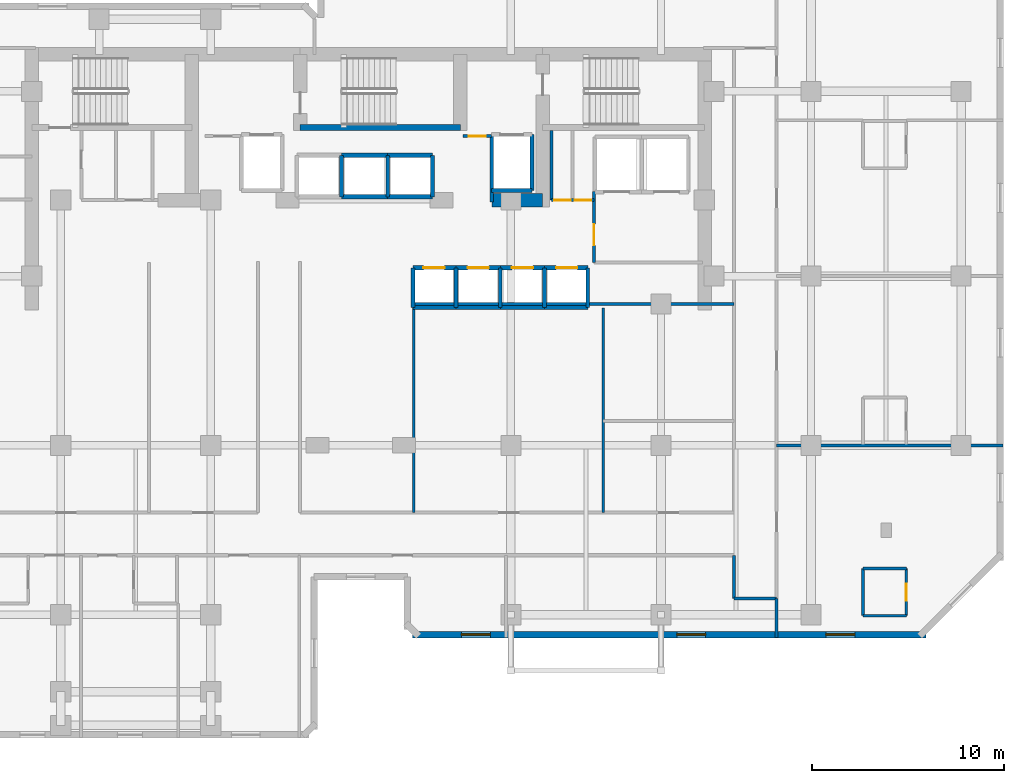
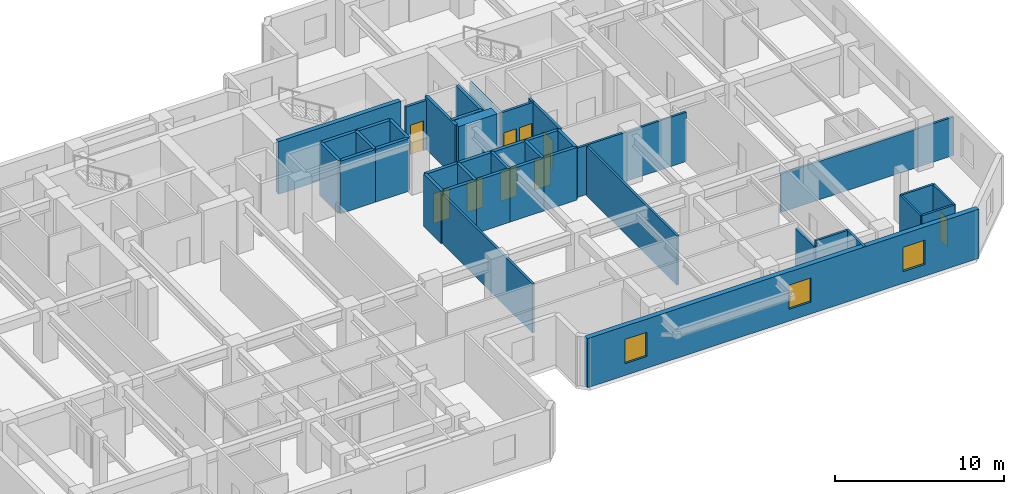
# One storey, part 7 of 10: 41 walls, 9 doors, 3 windows, 12 openings.
"""IFC4 building model written with IfcOpenShell, lengths in metres."""

import ifcopenshell
import ifcopenshell.guid

model = None  # the IFC model being written
_history = None  # IfcOwnerHistory: only IFC2X3 demands one
_inside = {}  # id of a spatial element -> (the spatial element, [elements in it])
_under = {}  # id of a project, library or spatial element -> (it, [spatial elements below it])
_declared = {}  # id of a project -> (the project, [libraries it declares])
_typed = {}  # id of a type object -> (the type object, [elements of that type])
_made_of = {}  # id of a material, layer set ... -> (it, [elements and type objects made of it])


def new_model(schema):
    """Start an empty IFC model of exactly this schema.

    Asked for "IFC4X3", IfcOpenShell would pick the latest addendum, in which some entities
    have other attributes; the version numbers below select the first issue.
    IFC2X3 requires an IfcOwnerHistory on every rooted entity: one is made here for all.
    """
    global model, _history
    if schema == "IFC4X3":
        model = ifcopenshell.file(schema_version=(4, 3, 0, 0))
    else:
        model = ifcopenshell.file(schema=schema)
    _inside.clear()
    _under.clear()
    _declared.clear()
    _typed.clear()
    _made_of.clear()
    _history = None
    if model.schema == "IFC2X3":
        org = make("IfcOrganization", Name="unknown")
        user = make(
            "IfcPersonAndOrganization",
            ThePerson=make("IfcPerson", FamilyName="unknown"),
            TheOrganization=org,
        )
        app = make(
            "IfcApplication",
            ApplicationDeveloper=org,
            Version="unknown",
            ApplicationFullName="unknown",
            ApplicationIdentifier="unknown",
        )
        _history = make(
            "IfcOwnerHistory",
            OwningUser=user,
            OwningApplication=app,
            ChangeAction="ADDED",
            CreationDate=0,
        )
    return model


def make(cls, **values):
    """One entity of the class cls with the attributes given. An attribute that is None is left unset."""
    return model.create_entity(
        cls, **{name: value for name, value in values.items() if value is not None}
    )


def rooted(cls, **values):
    """An entity with a GlobalId (a new one), such as an element, a storey or a relation."""
    return make(cls, GlobalId=ifcopenshell.guid.new(), OwnerHistory=_history, **values)


def si_unit(unit_type, name, prefix=None):
    """IfcSIUnit, for example si_unit("LENGTHUNIT", "METRE", prefix="MILLI")."""
    return make("IfcSIUnit", UnitType=unit_type, Prefix=prefix, Name=name)


def assignment(units):
    """IfcUnitAssignment: the units of a project."""
    return None if units is None else make("IfcUnitAssignment", Units=units)


def point(xyz):
    """IfcCartesianPoint."""
    return None if xyz is None else make("IfcCartesianPoint", Coordinates=xyz)


def direction(xyz):
    """IfcDirection."""
    return None if xyz is None else make("IfcDirection", DirectionRatios=xyz)


def frame(location, z_axis=None, x_axis=None):
    """IfcAxis2Placement3D, a coordinate frame: its origin and axes. An axis left out is left unset."""
    return make(
        "IfcAxis2Placement3D",
        Location=point(location),
        Axis=direction(z_axis),
        RefDirection=direction(x_axis),
    )


def frame_2d(location, x_axis=None):
    """IfcAxis2Placement2D, a coordinate frame in the plane: its origin and x axis."""
    return make(
        "IfcAxis2Placement2D", Location=point(location), RefDirection=direction(x_axis)
    )


def origin():
    """The frame at (0, 0, 0) with its axes left unset."""
    return frame((0.0, 0.0, 0.0))


def place(relative_to, where):
    """IfcLocalPlacement: puts the frame where relative to a parent placement (None: the world)."""
    return make(
        "IfcLocalPlacement", PlacementRelTo=relative_to, RelativePlacement=where
    )


def context(
    kind, dimensions, precision=None, world=None, true_north=None, identifier=None
):
    """IfcGeometricRepresentationContext, for example the 3D "Model" context."""
    return make(
        "IfcGeometricRepresentationContext",
        ContextIdentifier=identifier,
        ContextType=kind,
        CoordinateSpaceDimension=dimensions,
        Precision=precision,
        WorldCoordinateSystem=world,
        TrueNorth=true_north,
    )


def subcontext(parent, identifier, kind, view, scale=None):
    """IfcGeometricRepresentationSubContext, for example "Body" below "Model"."""
    return make(
        "IfcGeometricRepresentationSubContext",
        ContextIdentifier=identifier,
        ContextType=kind,
        ParentContext=parent,
        TargetScale=scale,
        TargetView=view,
    )


def project(units=None, contexts=None):
    """IfcProject with its units and contexts."""
    return rooted(
        "IfcProject",
        Name="project",
        RepresentationContexts=contexts,
        UnitsInContext=assignment(units),
    )


def spatial(cls, under=None, at=None, **own):
    """A site, building, storey or space (cls), placed at a placement, below another one or the project."""
    s = rooted(cls, ObjectPlacement=at, **own)
    if under is not None:
        _under.setdefault(under.id(), (under, []))[1].append(s)
    return s


def profile(cls, at=None, kind="AREA", **sizes):
    """A parametric profile (cls). Its sizes go by their IFC names, for example OverallWidth=200.0."""
    return make(cls, ProfileType=kind, Position=at, **sizes)


def rectangle(**sizes):
    """IfcRectangleProfileDef."""
    return profile("IfcRectangleProfileDef", **sizes)


def extrude(swept, where, along, depth):
    """IfcExtrudedAreaSolid: the profile swept, set in the frame where, extruded along a direction by depth."""
    return make(
        "IfcExtrudedAreaSolid",
        SweptArea=swept,
        Position=where,
        ExtrudedDirection=direction(along),
        Depth=depth,
    )


def shape(context_of_items, identifier, shape_type, items):
    """IfcShapeRepresentation: the items that make up one representation, for example the "Body"."""
    return make(
        "IfcShapeRepresentation",
        ContextOfItems=context_of_items,
        RepresentationIdentifier=identifier,
        RepresentationType=shape_type,
        Items=items,
    )


def material(Name=None, Category=None):
    """IfcMaterial."""
    return make("IfcMaterial", Name=Name, Category=Category)


def layer(
    of_material, thickness, ventilated=None, Name=None, Category=None, Priority=None
):
    """IfcMaterialLayer: one layer of a wall or slab, of a material (None: an air gap)."""
    return make(
        "IfcMaterialLayer",
        Material=of_material,
        LayerThickness=thickness,
        IsVentilated=ventilated,
        Name=Name,
        Category=Category,
        Priority=Priority,
    )


def layer_set(layers, Name=None):
    """IfcMaterialLayerSet."""
    return make("IfcMaterialLayerSet", MaterialLayers=layers, LayerSetName=Name)


def made_of(thing, what):
    """Note that an element or type object is made of a material, layer set ...; save() writes the relation."""
    if what is not None:
        _made_of.setdefault(what.id(), (what, []))[1].append(thing)
    return thing


def type_object(cls, material=None, **own):
    """A type object (cls), such as IfcWallType, which elements share."""
    return made_of(rooted(cls, **own), material)


def element(
    cls,
    number,
    at=None,
    inside=None,
    cuts=None,
    type_object=None,
    material=None,
    context=None,
    identifier="Body",
    shape_type=None,
    held_by="IfcProductDefinitionShape",
    body=None,
    shapes=None,
    **own,
):
    """One element of the class cls, such as IfcWall. Its Tag is "e" and its number.

    at: its placement. inside: the storey or other place that contains it. cuts: it is an
    opening in that element (IfcRelVoidsElement). A single representation is given by context,
    identifier, shape_type and body (its items); several are given by shapes. held_by: the class
    of the entity that holds the representations. save() writes the other relations.
    """
    e = rooted(cls, Tag="e%d" % number, ObjectPlacement=at, **own)
    if body is not None:
        shapes = [shape(context, identifier, shape_type, body)]
    if shapes is not None:
        e.Representation = make(held_by, Representations=shapes)
    if inside is not None:
        _inside.setdefault(inside.id(), (inside, []))[1].append(e)
    if cuts is not None:
        rooted(
            "IfcRelVoidsElement", RelatingBuildingElement=cuts, RelatedOpeningElement=e
        )
    if type_object is not None:
        _typed.setdefault(type_object.id(), (type_object, []))[1].append(e)
    return made_of(e, material)


def fill(opening, filler):
    """IfcRelFillsElement: the door or window that sits in an opening."""
    return rooted(
        "IfcRelFillsElement",
        RelatingOpeningElement=opening,
        RelatedBuildingElement=filler,
    )


def aggregate(whole, parts):
    """IfcRelAggregates: a whole, such as a stair, and the parts it consists of."""
    return rooted("IfcRelAggregates", RelatingObject=whole, RelatedObjects=parts)


def save(model, path):
    """Write the relations noted so far, then the file.

    IfcRelAggregates (storeys below a building ...), IfcRelContainedInSpatialStructure (elements
    in a storey), IfcRelDefinesByType, IfcRelAssociatesMaterial and IfcRelDeclares: one each for
    every whole, place, type object, material and project.
    """
    for whole, parts in _under.values():
        aggregate(whole, parts)
    for where, things in _inside.values():
        rooted(
            "IfcRelContainedInSpatialStructure",
            RelatedElements=things,
            RelatingStructure=where,
        )
    for kind, things in _typed.values():
        rooted("IfcRelDefinesByType", RelatedObjects=things, RelatingType=kind)
    for what, things in _made_of.values():
        rooted("IfcRelAssociatesMaterial", RelatedObjects=things, RelatingMaterial=what)
    for by, libraries in _declared.values():
        rooted("IfcRelDeclares", RelatingContext=by, RelatedDefinitions=libraries)
    model.write(path)


model = new_model("IFC4")

# Units and contexts
model_context = context("Model", 3, precision=1e-05, world=origin(), true_north=direction((0.0, 1.0)))
body_context = subcontext(model_context, "Body", "Model", "MODEL_VIEW")
ifc_project = project(units=[si_unit("LENGTHUNIT", "METRE"), si_unit("AREAUNIT", "SQUARE_METRE"), si_unit("VOLUMEUNIT", "CUBIC_METRE"), si_unit("PLANEANGLEUNIT", "RADIAN"), si_unit("MASSUNIT", "GRAM", prefix="KILO")], contexts=[model_context])

# Site, building, storey
site_placement = place(None, origin())
site = spatial("IfcSite", under=ifc_project, at=site_placement, CompositionType="ELEMENT")
building_placement = place(site_placement, origin())
building = spatial("IfcBuilding", under=site, at=building_placement, Name="Kestravale Grand Hotel", CompositionType="ELEMENT")
storey_placement = place(building_placement, frame((0.0, 0.0, 153.60009765625)))
storey = spatial("IfcBuildingStorey", under=building, at=storey_placement, Name="L38", CompositionType="ELEMENT", Elevation=153.60009765625)

# Wall
ifc_material_1 = material(Name="Concrete f'c 60 MPa", Category="concrete")
ifc_layer_1 = layer(ifc_material_1, 0.699951171875)
ifc_layer_set_1 = layer_set([ifc_layer_1], Name="EW-CORE-700")
wall_type_1 = type_object("IfcWallType", Name="EW-CORE-700", PredefinedType="SHEAR", material=ifc_layer_set_1)
wall_1_placement = place(storey_placement, frame((45.81005859375, 32.75, 0.0), z_axis=(0.0, 0.0, 1.0), x_axis=(1.0, 0.0, 0.0)))
element("IfcWall", 1, at=wall_1_placement, inside=storey, type_object=wall_type_1, Name="L38 core shear wall S2", PredefinedType="SHEAR", context=body_context, shape_type="SweptSolid", body=[
    extrude(rectangle(XDim=2.639892578125, YDim=0.699951171875, at=frame_2d((1.31982421875, 0.0))), origin(), (0.0, 0.0, 1.0), 3.7998046875),
])

# Wall, openings, windows
ifc_material_2 = material(Name="Precast concrete f'c 45 MPa", Category="concrete")
ifc_layer_2 = layer(ifc_material_2, 0.340087890625)
ifc_layer_set_2 = layer_set([ifc_layer_2], Name="EW-PREC-340")
wall_type_2 = type_object("IfcWallType", Name="EW-PREC-340", PredefinedType="SOLIDWALL", material=ifc_layer_set_2)
wall_2_placement = place(storey_placement, frame((41.679931640625, 10.169921875, 0.0), z_axis=(0.0, 0.0, 1.0), x_axis=(1.0, 0.0, 0.0)))
wall_2 = element("IfcWall", 2, at=wall_2_placement, inside=storey, type_object=wall_type_2, Name="L38 fluted precast facade wall 7", PredefinedType="SOLIDWALL", context=body_context, shape_type="SweptSolid", body=[
    extrude(rectangle(XDim=26.690185546875, YDim=0.340087890625, at=frame_2d((13.34521484375, 0.0))), origin(), (0.0, 0.0, 1.0), 3.5498046875),
])
opening_1_placement = place(wall_2_placement, frame((2.54833984375, 0.0, 0.85009765625)))
opening_1 = element("IfcOpeningElement", 3, at=opening_1_placement, cuts=wall_2, Name="Opening W-GUEST-1500", PredefinedType="OPENING", context=body_context, shape_type="SweptSolid", body=[
    extrude(rectangle(XDim=1.5, YDim=1.75, at=frame_2d((0.75, 0.875))), frame((0.0, 0.179931640625, 0.0), z_axis=(0.0, -1.0, 0.0), x_axis=(1.0, 0.0, 0.0)), (0.0, 0.0, 1.0), 0.360107421875),
])
opening_2_placement = place(wall_2_placement, frame((13.7451171875, 0.0, 0.85009765625)))
opening_2 = element("IfcOpeningElement", 4, at=opening_2_placement, cuts=wall_2, Name="Opening W-GUEST-1500", PredefinedType="OPENING", context=body_context, shape_type="SweptSolid", body=[
    extrude(rectangle(XDim=1.5, YDim=1.75, at=frame_2d((0.75, 0.875))), frame((0.0, 0.179931640625, 0.0), z_axis=(0.0, -1.0, 0.0), x_axis=(1.0, 0.0, 0.0)), (0.0, 0.0, 1.0), 0.360107421875),
])
opening_3_placement = place(wall_2_placement, frame((21.49169921875, 0.0, 0.85009765625)))
opening_3 = element("IfcOpeningElement", 5, at=opening_3_placement, cuts=wall_2, Name="Opening W-GUEST-1500", PredefinedType="OPENING", context=body_context, shape_type="SweptSolid", body=[
    extrude(rectangle(XDim=1.5, YDim=1.75, at=frame_2d((0.75, 0.875))), frame((0.0, 0.179931640625, 0.0), z_axis=(0.0, -1.0, 0.0), x_axis=(1.0, 0.0, 0.0)), (0.0, 0.0, 1.0), 0.360107421875),
])
ifc_material_3 = material(Name="Insulated low-E double glazing in aluminium frame", Category="aluminium")
window_type = type_object("IfcWindowType", Name="W-GUEST-1500", PartitioningType="SINGLE_PANEL", PredefinedType="WINDOW", material=ifc_material_3)
window_1_placement = place(opening_1_placement, origin())
window_1 = element("IfcWindow", 6, at=window_1_placement, inside=storey, type_object=window_type, Name="L38 exterior window 7.1", OverallHeight=1.75, OverallWidth=1.5, PartitioningType="SINGLE_PANEL", PredefinedType="WINDOW", context=body_context, shape_type="SweptSolid", body=[
    extrude(rectangle(XDim=1.5, YDim=1.75, at=frame_2d((0.75, 0.875))), frame((0.0, 0.030029296875, 0.0), z_axis=(0.0, -1.0, 0.0), x_axis=(1.0, 0.0, 0.0)), (0.0, 0.0, 1.0), 0.06005859375),
])
fill(opening_1, window_1)
window_2_placement = place(opening_2_placement, origin())
window_2 = element("IfcWindow", 7, at=window_2_placement, inside=storey, type_object=window_type, Name="L38 exterior window 7.2", OverallHeight=1.75, OverallWidth=1.5, PartitioningType="SINGLE_PANEL", PredefinedType="WINDOW", context=body_context, shape_type="SweptSolid", body=[
    extrude(rectangle(XDim=1.5, YDim=1.75, at=frame_2d((0.75, 0.875))), frame((0.0, 0.030029296875, 0.0), z_axis=(0.0, -1.0, 0.0), x_axis=(1.0, 0.0, 0.0)), (0.0, 0.0, 1.0), 0.06005859375),
])
fill(opening_2, window_2)
window_3_placement = place(opening_3_placement, origin())
window_3 = element("IfcWindow", 8, at=window_3_placement, inside=storey, type_object=window_type, Name="L38 exterior window 7.3", OverallHeight=1.75, OverallWidth=1.5, PartitioningType="SINGLE_PANEL", PredefinedType="WINDOW", context=body_context, shape_type="SweptSolid", body=[
    extrude(rectangle(XDim=1.5, YDim=1.75, at=frame_2d((0.75, 0.875))), frame((0.0, 0.030029296875, 0.0), z_axis=(0.0, -1.0, 0.0), x_axis=(1.0, 0.0, 0.0)), (0.0, 0.0, 1.0), 0.06005859375),
])
fill(opening_3, window_3)

# Wall
ifc_material_4 = material(Name="Concrete f'c 45 MPa", Category="concrete")
ifc_layer_3 = layer(ifc_material_4, 0.300048828125)
ifc_layer_set_3 = layer_set([ifc_layer_3], Name="EW-STAIR-300")
wall_type_3 = type_object("IfcWallType", Name="EW-STAIR-300", PredefinedType="SHEAR", material=ifc_layer_set_3)
wall_3_placement = place(storey_placement, frame((35.85009765625, 36.52001953125, 0.0), z_axis=(0.0, 0.0, 1.0), x_axis=(1.0, 0.0, 0.0)))
element("IfcWall", 9, at=wall_3_placement, inside=storey, type_object=wall_type_3, Name="L38 stair enclosure shear wall SST2", PredefinedType="SHEAR", context=body_context, shape_type="SweptSolid", body=[
    extrude(rectangle(XDim=8.329833984375, YDim=0.300048828125, at=frame_2d((4.1650390625, 0.0))), origin(), (0.0, 0.0, 1.0), 3.7998046875),
])

# Wall, opening, door
ifc_material_5 = material(Name="Acoustic fire-rated gypsum board partition", Category="other")
ifc_layer_4 = layer(ifc_material_5, 0.159912109375)
ifc_layer_set_4 = layer_set([ifc_layer_4], Name="IW-CORR-160")
wall_type_4 = type_object("IfcWallType", Name="IW-CORR-160", PredefinedType="PARTITIONING", material=ifc_layer_set_4)
wall_4_placement = place(storey_placement, frame((51.1201171875, 29.5, 0.0), z_axis=(0.0, 0.0, 1.0), x_axis=(0.0, 1.0, 0.0)))
wall_4 = element("IfcWall", 10, at=wall_4_placement, inside=storey, type_object=wall_type_4, Name="W-L38-SVCLOB-W", PredefinedType="PARTITIONING", context=body_context, shape_type="SweptSolid", body=[
    extrude(rectangle(XDim=3.699951171875, YDim=0.159912109375, at=frame_2d((1.85009765625, 0.0))), origin(), (0.0, 0.0, 1.0), 3.5498046875),
])
opening_4_placement = place(wall_4_placement, frame((0.89990234375, 0.0, 0.0)))
opening_4 = element("IfcOpeningElement", 11, at=opening_4_placement, cuts=wall_4, Name="Opening D-CORR-1100", PredefinedType="OPENING", context=body_context, shape_type="SweptSolid", body=[
    extrude(rectangle(XDim=1.10009765625, YDim=2.14990234375, at=frame_2d((0.550048828125, 1.074951171875))), frame((0.0, 0.08984375, 0.0), z_axis=(0.0, -1.0, 0.0), x_axis=(1.0, 0.0, 0.0)), (0.0, 0.0, 1.0), 0.179931640625),
])
ifc_material_6 = material(Name="Single-leaf service vestibule fire door", Category="steel")
door_type_1 = type_object("IfcDoorType", Name="D-CORR-1100", OperationType="NOTDEFINED", PredefinedType="DOOR", material=ifc_material_6)
door_1_placement = place(opening_4_placement, origin())
door_1 = element("IfcDoor", 12, at=door_1_placement, inside=storey, type_object=door_type_1, Name="L38 service lift lobby door", OperationType="SINGLE_SWING_LEFT", OverallHeight=2.14990234375, OverallWidth=1.10009765625, PredefinedType="DOOR", context=body_context, shape_type="SweptSolid", body=[
    extrude(rectangle(XDim=1.10009765625, YDim=2.14990234375, at=frame_2d((0.550048828125, 1.074951171875))), frame((0.0, 0.02490234375, 0.0), z_axis=(0.0, -1.0, 0.0), x_axis=(1.0, 0.0, 0.0)), (0.0, 0.0, 1.0), 0.050048828125),
])
fill(opening_4, door_1)

# Wall, openings, doors
wall_5_placement = place(storey_placement, frame((48.919921875, 32.75, 0.0), z_axis=(0.0, 0.0, 1.0), x_axis=(1.0, 0.0, 0.0)))
wall_5 = element("IfcWall", 13, at=wall_5_placement, inside=storey, type_object=wall_type_4, Name="W-L38-CES", PredefinedType="PARTITIONING", context=body_context, shape_type="SweptSolid", body=[
    extrude(rectangle(XDim=2.2001953125, YDim=0.159912109375, at=frame_2d((1.10009765625, 0.0))), origin(), (0.0, 0.0, 1.0), 3.5498046875),
])
opening_5_placement = place(wall_5_placement, frame((0.139892578125, 0.0, 0.0)))
opening_5 = element("IfcOpeningElement", 14, at=opening_5_placement, cuts=wall_5, Name="Opening D-SH-860", PredefinedType="OPENING", context=body_context, shape_type="SweptSolid", body=[
    extrude(rectangle(XDim=0.860107421875, YDim=2.050048828125, at=frame_2d((0.43017578125, 1.02490234375))), frame((0.0, 0.08984375, 0.0), z_axis=(0.0, -1.0, 0.0), x_axis=(1.0, 0.0, 0.0)), (0.0, 0.0, 1.0), 0.179931640625),
])
opening_6_placement = place(wall_5_placement, frame((1.199951171875, 0.0, 0.0)))
opening_6 = element("IfcOpeningElement", 15, at=opening_6_placement, cuts=wall_5, Name="Opening D-SH-860", PredefinedType="OPENING", context=body_context, shape_type="SweptSolid", body=[
    extrude(rectangle(XDim=0.860107421875, YDim=2.050048828125, at=frame_2d((0.43017578125, 1.02490234375))), frame((0.0, 0.08984375, 0.0), z_axis=(0.0, -1.0, 0.0), x_axis=(1.0, 0.0, 0.0)), (0.0, 0.0, 1.0), 0.179931640625),
])
ifc_material_7 = material(Name="Galvanised 90-minute riser fire door", Category="steel")
door_type_2 = type_object("IfcDoorType", Name="D-SH-860", OperationType="NOTDEFINED", PredefinedType="DOOR", material=ifc_material_7)
door_2_placement = place(opening_5_placement, origin())
door_2 = element("IfcDoor", 16, at=door_2_placement, inside=storey, type_object=door_type_2, Name="L38 CSTO1 door", OperationType="SINGLE_SWING_LEFT", OverallHeight=2.050048828125, OverallWidth=0.860107421875, PredefinedType="DOOR", context=body_context, shape_type="SweptSolid", body=[
    extrude(rectangle(XDim=0.860107421875, YDim=2.050048828125, at=frame_2d((0.43017578125, 1.02490234375))), frame((0.0, 0.02490234375, 0.0), z_axis=(0.0, -1.0, 0.0), x_axis=(1.0, 0.0, 0.0)), (0.0, 0.0, 1.0), 0.050048828125),
])
fill(opening_5, door_2)
door_3_placement = place(opening_6_placement, origin())
door_3 = element("IfcDoor", 17, at=door_3_placement, inside=storey, type_object=door_type_2, Name="L38 CSTO2 door", OperationType="SINGLE_SWING_RIGHT", OverallHeight=2.050048828125, OverallWidth=0.860107421875, PredefinedType="DOOR", context=body_context, shape_type="SweptSolid", body=[
    extrude(rectangle(XDim=0.860107421875, YDim=2.050048828125, at=frame_2d((0.43017578125, 1.02490234375))), frame((0.0, 0.02490234375, 0.0), z_axis=(0.0, -1.0, 0.0), x_axis=(1.0, 0.0, 0.0)), (0.0, 0.0, 1.0), 0.050048828125),
])
fill(opening_6, door_3)

# Wall
wall_6_placement = place(storey_placement, frame((58.389892578125, 12.050048828125, 0.0), z_axis=(0.0, 0.0, 1.0), x_axis=(0.0, 1.0, 0.0)))
element("IfcWall", 18, at=wall_6_placement, inside=storey, type_object=wall_type_4, Name="W-L38-SE-W", PredefinedType="PARTITIONING", context=body_context, shape_type="SweptSolid", body=[
    extrude(rectangle(XDim=2.239990234375, YDim=0.159912109375, at=frame_2d((1.1201171875, 0.0))), origin(), (0.0, 0.0, 1.0), 3.093017578125),
])

# Wall, opening, door
ifc_material_8 = material(Name="Fire-rated gypsum board on steel studs with mineral wool", Category="steel")
ifc_layer_5 = layer(ifc_material_8, 0.179931640625)
ifc_layer_set_5 = layer_set([ifc_layer_5], Name="IW-FSAE-180")
wall_type_5 = type_object("IfcWallType", Name="IW-FSAE-180", PredefinedType="PARTITIONING", material=ifc_layer_set_5)
wall_7_placement = place(storey_placement, frame((44.300048828125, 36.080078125, 0.0), z_axis=(0.0, 0.0, 1.0), x_axis=(1.0, 0.0, 0.0)))
wall_7 = element("IfcWall", 19, at=wall_7_placement, inside=storey, type_object=wall_type_5, Name="L38 FSAE Lobby 2 smoke barrier", PredefinedType="PARTITIONING", context=body_context, shape_type="SweptSolid", body=[
    extrude(rectangle(XDim=1.5, YDim=0.179931640625, at=frame_2d((0.75, 0.0))), origin(), (0.0, 0.0, 1.0), 3.5498046875),
])
opening_7_placement = place(wall_7_placement, frame((0.300048828125, 0.0, 0.0)))
opening_7 = element("IfcOpeningElement", 20, at=opening_7_placement, cuts=wall_7, Name="Opening D-FSAE-1000", PredefinedType="OPENING", context=body_context, shape_type="SweptSolid", body=[
    extrude(rectangle(XDim=0.89990234375, YDim=2.14990234375, at=frame_2d((0.449951171875, 1.074951171875))), frame((0.0, 0.099853515625, 0.0), z_axis=(0.0, -1.0, 0.0), x_axis=(1.0, 0.0, 0.0)), (0.0, 0.0, 1.0), 0.199951171875),
])
ifc_material_9 = material(Name="Smoke-gasketed FSAE lobby fire door", Category="steel")
door_type_3 = type_object("IfcDoorType", Name="D-FSAE-1000", OperationType="NOTDEFINED", PredefinedType="DOOR", material=ifc_material_9)
door_4_placement = place(opening_7_placement, origin())
door_4 = element("IfcDoor", 21, at=door_4_placement, inside=storey, type_object=door_type_3, Name="L38 FSAE Lobby 2 fire door", OperationType="SINGLE_SWING_LEFT", OverallHeight=2.14990234375, OverallWidth=0.89990234375, PredefinedType="DOOR", context=body_context, shape_type="SweptSolid", body=[
    extrude(rectangle(XDim=0.89990234375, YDim=2.14990234375, at=frame_2d((0.449951171875, 1.074951171875))), frame((0.0, 0.02490234375, 0.0), z_axis=(0.0, -1.0, 0.0), x_axis=(1.0, 0.0, 0.0)), (0.0, 0.0, 1.0), 0.050048828125),
])
fill(opening_7, door_4)

# Wall
ifc_material_10 = material(Name="Moisture-resistant tile-backer plumbing chase wall", Category="other")
ifc_layer_6 = layer(ifc_material_10, 0.139892578125)
ifc_layer_set_6 = layer_set([ifc_layer_6], Name="IW-PLB-140")
wall_type_6 = type_object("IfcWallType", Name="IW-PLB-140", PredefinedType="PLUMBINGWALL", material=ifc_layer_set_6)
wall_8_placement = place(storey_placement, frame((65.10009765625, 11.14990234375, 0.0), z_axis=(0.0, 0.0, 1.0), x_axis=(0.0, 1.0, 0.0)))
element("IfcWall", 22, at=wall_8_placement, inside=storey, type_object=wall_type_6, Name="W-L38-U06-BW", PredefinedType="PLUMBINGWALL", context=body_context, shape_type="SweptSolid", body=[
    extrude(rectangle(XDim=2.4501953125, YDim=0.139892578125, at=frame_2d((1.22509765625, 0.0))), origin(), (0.0, 0.0, 1.0), 3.5498046875),
])

# Wall, opening, door
wall_9_placement = place(storey_placement, frame((67.35009765625, 11.14990234375, 0.0), z_axis=(0.0, 0.0, 1.0), x_axis=(0.0, 1.0, 0.0)))
wall_9 = element("IfcWall", 23, at=wall_9_placement, inside=storey, type_object=wall_type_6, Name="W-L38-U06-BE", PredefinedType="PLUMBINGWALL", context=body_context, shape_type="SweptSolid", body=[
    extrude(rectangle(XDim=2.4501953125, YDim=0.139892578125, at=frame_2d((1.22509765625, 0.0))), origin(), (0.0, 0.0, 1.0), 3.5498046875),
])
opening_8_placement = place(wall_9_placement, frame((0.784912109375, 0.0, 0.0)))
opening_8 = element("IfcOpeningElement", 24, at=opening_8_placement, cuts=wall_9, Name="Opening D-BATH-880", PredefinedType="OPENING", context=body_context, shape_type="SweptSolid", body=[
    extrude(rectangle(XDim=0.8798828125, YDim=2.050048828125, at=frame_2d((0.43994140625, 1.02490234375))), frame((0.0, 0.079833984375, 0.0), z_axis=(0.0, -1.0, 0.0), x_axis=(1.0, 0.0, 0.0)), (0.0, 0.0, 1.0), 0.159912109375),
])
ifc_material_11 = material(Name="Moisture-sealed walnut en-suite bathroom door", Category="wood")
door_type_4 = type_object("IfcDoorType", Name="D-BATH-880", OperationType="NOTDEFINED", PredefinedType="DOOR", material=ifc_material_11)
door_5_placement = place(opening_8_placement, origin())
door_5 = element("IfcDoor", 25, at=door_5_placement, inside=storey, type_object=door_type_4, Name="D-L38-U06-BATH", OperationType="SINGLE_SWING_RIGHT", OverallHeight=2.050048828125, OverallWidth=0.8798828125, PredefinedType="DOOR", context=body_context, shape_type="SweptSolid", body=[
    extrude(rectangle(XDim=0.8798828125, YDim=2.050048828125, at=frame_2d((0.43994140625, 1.02490234375))), frame((0.0, 0.02490234375, 0.0), z_axis=(0.0, -1.0, 0.0), x_axis=(1.0, 0.0, 0.0)), (0.0, 0.0, 1.0), 0.050048828125),
])
fill(opening_8, door_5)

# Walls
for number, where, z_axis, x_axis, name in (
    (26, (65.10009765625, 11.14990234375, 0.0), (0.0, 0.0, 1.0), (1.0, 0.0, 0.0), "W-L38-U06-BS"),
    (27, (65.10009765625, 13.60009765625, 0.0), (0.0, 0.0, 1.0), (1.0, 0.0, 0.0), "W-L38-U06-BN"),
):
    element("IfcWall", number, at=place(storey_placement, frame(where, z_axis=z_axis, x_axis=x_axis)), inside=storey, type_object=wall_type_6, Name=name, PredefinedType="PLUMBINGWALL", context=body_context, shape_type="SweptSolid", body=[
        extrude(rectangle(XDim=2.25, YDim=0.139892578125, at=frame_2d((1.125, 0.0))), origin(), (0.0, 0.0, 1.0), 3.5498046875),
    ])
ifc_material_12 = material(Name="Concrete f'c 45 MPa", Category="concrete")
ifc_layer_7 = layer(ifc_material_12, 0.199951171875)
ifc_layer_set_7 = layer_set([ifc_layer_7], Name="IW-SHAFT-200")
wall_type_7 = type_object("IfcWallType", Name="IW-SHAFT-200", PredefinedType="SHEAR", material=ifc_layer_set_7)
for number, where, z_axis, x_axis, name in (
    (28, (41.705078125, 27.169921875, 0.0), (0.0, 0.0, 1.0), (0.0, 1.0, 0.0), "L38 PL-M1 west shaft wall"),
    (29, (43.949951171875, 27.169921875, 0.0), (0.0, 0.0, 1.0), (0.0, 1.0, 0.0), "L38 PL-M2 west shaft wall"),
    (30, (46.25, 27.169921875, 0.0), (0.0, 0.0, 1.0), (0.0, 1.0, 0.0), "L38 PL-M3 west shaft wall"),
    (31, (48.550048828125, 27.169921875, 0.0), (0.0, 0.0, 1.0), (0.0, 1.0, 0.0), "L38 PL-M4 west shaft wall"),
    (32, (50.794921875, 27.169921875, 0.0), (0.0, 0.0, 1.0), (0.0, 1.0, 0.0), "L38 PL-M4 east shaft wall"),
):
    element("IfcWall", number, at=place(storey_placement, frame(where, z_axis=z_axis, x_axis=x_axis)), inside=storey, type_object=wall_type_7, Name=name, PredefinedType="SHEAR", context=body_context, shape_type="SweptSolid", body=[
        extrude(rectangle(XDim=2.06005859375, YDim=0.199951171875, at=frame_2d((1.030029296875, 0.0))), origin(), (0.0, 0.0, 1.0), 3.7998046875),
    ])
for number, where, z_axis, x_axis, name in (
    (33, (38.0, 32.919921875, 0.0), (0.0, 0.0, 1.0), (0.0, 1.0, 0.0), "L38 PL-X2 west shaft wall"),
    (34, (40.39990234375, 32.919921875, 0.0), (0.0, 0.0, 1.0), (0.0, 1.0, 0.0), "L38 PL-X3 west shaft wall"),
    (35, (42.719970703125, 32.919921875, 0.0), (0.0, 0.0, 1.0), (0.0, 1.0, 0.0), "L38 PL-X3 east shaft wall"),
):
    element("IfcWall", number, at=place(storey_placement, frame(where, z_axis=z_axis, x_axis=x_axis)), inside=storey, type_object=wall_type_7, Name=name, PredefinedType="SHEAR", context=body_context, shape_type="SweptSolid", body=[
        extrude(rectangle(XDim=2.16015625, YDim=0.199951171875, at=frame_2d((1.080078125, 0.0))), origin(), (0.0, 0.0, 1.0), 3.7998046875),
    ])
wall_10_placement = place(storey_placement, frame((45.804931640625, 32.64990234375, 0.0), z_axis=(0.0, 0.0, 1.0), x_axis=(0.0, 1.0, 0.0)))
element("IfcWall", 36, at=wall_10_placement, inside=storey, type_object=wall_type_7, Name="L38 FL-2 west shaft wall", PredefinedType="SHEAR", context=body_context, shape_type="SweptSolid", body=[
    extrude(rectangle(XDim=3.505126953125, YDim=0.199951171875, at=frame_2d((1.75244140625, 0.0))), origin(), (0.0, 0.0, 1.0), 3.7998046875),
])
wall_11_placement = place(storey_placement, frame((47.89501953125, 33.2451171875, 0.0), z_axis=(0.0, 0.0, 1.0), x_axis=(0.0, 1.0, 0.0)))
element("IfcWall", 37, at=wall_11_placement, inside=storey, type_object=wall_type_7, Name="L38 FL-2 east shaft wall", PredefinedType="SHEAR", context=body_context, shape_type="SweptSolid", body=[
    extrude(rectangle(XDim=2.909912109375, YDim=0.199951171875, at=frame_2d((1.455078125, 0.0))), origin(), (0.0, 0.0, 1.0), 3.7998046875),
])

# Wall, opening, door
ifc_material_13 = material(Name="Concrete f'c 45 MPa", Category="concrete")
ifc_layer_8 = layer(ifc_material_13, 0.219970703125)
ifc_layer_set_8 = layer_set([ifc_layer_8], Name="IW-SHAFT-220")
wall_type_8 = type_object("IfcWallType", Name="IW-SHAFT-220", PredefinedType="SHEAR", material=ifc_layer_set_8)
wall_12_placement = place(storey_placement, frame((41.705078125, 29.22998046875, 0.0), z_axis=(0.0, 0.0, 1.0), x_axis=(1.0, 0.0, 0.0)))
wall_12 = element("IfcWall", 38, at=wall_12_placement, inside=storey, type_object=wall_type_8, Name="L38 PL-M1 north shaft wall", PredefinedType="SHEAR", context=body_context, shape_type="SweptSolid", body=[
    extrude(rectangle(XDim=2.244873046875, YDim=0.219970703125, at=frame_2d((1.12255859375, 0.0))), origin(), (0.0, 0.0, 1.0), 3.7998046875),
])
opening_9_placement = place(wall_12_placement, frame((0.544921875, 0.0, 0.0)))
opening_9 = element("IfcOpeningElement", 39, at=opening_9_placement, cuts=wall_12, Name="Opening LD-PAX-1100", PredefinedType="OPENING", context=body_context, shape_type="SweptSolid", body=[
    extrude(rectangle(XDim=1.10009765625, YDim=2.14990234375, at=frame_2d((0.550048828125, 1.074951171875))), frame((0.0, 0.119873046875, 0.0), z_axis=(0.0, -1.0, 0.0), x_axis=(1.0, 0.0, 0.0)), (0.0, 0.0, 1.0), 0.239990234375),
])
ifc_material_14 = material(Name="Champagne-bronze center-opening sliding elevator landing door", Category="steel")
door_type_5 = type_object("IfcDoorType", Name="LD-PAX-1100", OperationType="NOTDEFINED", PredefinedType="DOOR", material=ifc_material_14)
door_6_placement = place(opening_9_placement, origin())
door_6 = element("IfcDoor", 40, at=door_6_placement, inside=storey, type_object=door_type_5, Name="L38 PL-M1 elevator landing sliding door", OperationType="DOUBLE_DOOR_SLIDING", OverallHeight=2.14990234375, OverallWidth=1.10009765625, PredefinedType="DOOR", context=body_context, shape_type="SweptSolid", body=[
    extrude(rectangle(XDim=1.10009765625, YDim=2.14990234375, at=frame_2d((0.550048828125, 1.074951171875))), frame((0.0, 0.02490234375, 0.0), z_axis=(0.0, -1.0, 0.0), x_axis=(1.0, 0.0, 0.0)), (0.0, 0.0, 1.0), 0.050048828125),
])
fill(opening_9, door_6)

# Wall
wall_13_placement = place(storey_placement, frame((41.705078125, 27.169921875, 0.0), z_axis=(0.0, 0.0, 1.0), x_axis=(1.0, 0.0, 0.0)))
element("IfcWall", 41, at=wall_13_placement, inside=storey, type_object=wall_type_8, Name="L38 PL-M1 south shaft wall", PredefinedType="SHEAR", context=body_context, shape_type="SweptSolid", body=[
    extrude(rectangle(XDim=2.244873046875, YDim=0.219970703125, at=frame_2d((1.12255859375, 0.0))), origin(), (0.0, 0.0, 1.0), 3.7998046875),
])

# Wall, opening, door
wall_14_placement = place(storey_placement, frame((43.949951171875, 29.22998046875, 0.0), z_axis=(0.0, 0.0, 1.0), x_axis=(1.0, 0.0, 0.0)))
wall_14 = element("IfcWall", 42, at=wall_14_placement, inside=storey, type_object=wall_type_8, Name="L38 PL-M2 north shaft wall", PredefinedType="SHEAR", context=body_context, shape_type="SweptSolid", body=[
    extrude(rectangle(XDim=2.300048828125, YDim=0.219970703125, at=frame_2d((1.14990234375, 0.0))), origin(), (0.0, 0.0, 1.0), 3.7998046875),
])
opening_10_placement = place(wall_14_placement, frame((0.60009765625, 0.0, 0.0)))
opening_10 = element("IfcOpeningElement", 43, at=opening_10_placement, cuts=wall_14, Name="Opening LD-PAX-1100", PredefinedType="OPENING", context=body_context, shape_type="SweptSolid", body=[
    extrude(rectangle(XDim=1.10009765625, YDim=2.14990234375, at=frame_2d((0.550048828125, 1.074951171875))), frame((0.0, 0.119873046875, 0.0), z_axis=(0.0, -1.0, 0.0), x_axis=(1.0, 0.0, 0.0)), (0.0, 0.0, 1.0), 0.239990234375),
])
door_7_placement = place(opening_10_placement, origin())
door_7 = element("IfcDoor", 44, at=door_7_placement, inside=storey, type_object=door_type_5, Name="L38 PL-M2 elevator landing sliding door", OperationType="DOUBLE_DOOR_SLIDING", OverallHeight=2.14990234375, OverallWidth=1.10009765625, PredefinedType="DOOR", context=body_context, shape_type="SweptSolid", body=[
    extrude(rectangle(XDim=1.10009765625, YDim=2.14990234375, at=frame_2d((0.550048828125, 1.074951171875))), frame((0.0, 0.02490234375, 0.0), z_axis=(0.0, -1.0, 0.0), x_axis=(1.0, 0.0, 0.0)), (0.0, 0.0, 1.0), 0.050048828125),
])
fill(opening_10, door_7)

# Wall
wall_15_placement = place(storey_placement, frame((43.949951171875, 27.169921875, 0.0), z_axis=(0.0, 0.0, 1.0), x_axis=(1.0, 0.0, 0.0)))
element("IfcWall", 45, at=wall_15_placement, inside=storey, type_object=wall_type_8, Name="L38 PL-M2 south shaft wall", PredefinedType="SHEAR", context=body_context, shape_type="SweptSolid", body=[
    extrude(rectangle(XDim=2.300048828125, YDim=0.219970703125, at=frame_2d((1.14990234375, 0.0))), origin(), (0.0, 0.0, 1.0), 3.7998046875),
])

# Wall, opening, door
wall_16_placement = place(storey_placement, frame((46.25, 29.22998046875, 0.0), z_axis=(0.0, 0.0, 1.0), x_axis=(1.0, 0.0, 0.0)))
wall_16 = element("IfcWall", 46, at=wall_16_placement, inside=storey, type_object=wall_type_8, Name="L38 PL-M3 north shaft wall", PredefinedType="SHEAR", context=body_context, shape_type="SweptSolid", body=[
    extrude(rectangle(XDim=2.300048828125, YDim=0.219970703125, at=frame_2d((1.14990234375, 0.0))), origin(), (0.0, 0.0, 1.0), 3.7998046875),
])
opening_11_placement = place(wall_16_placement, frame((0.60009765625, 0.0, 0.0)))
opening_11 = element("IfcOpeningElement", 47, at=opening_11_placement, cuts=wall_16, Name="Opening LD-PAX-1100", PredefinedType="OPENING", context=body_context, shape_type="SweptSolid", body=[
    extrude(rectangle(XDim=1.10009765625, YDim=2.14990234375, at=frame_2d((0.550048828125, 1.074951171875))), frame((0.0, 0.119873046875, 0.0), z_axis=(0.0, -1.0, 0.0), x_axis=(1.0, 0.0, 0.0)), (0.0, 0.0, 1.0), 0.239990234375),
])
door_8_placement = place(opening_11_placement, origin())
door_8 = element("IfcDoor", 48, at=door_8_placement, inside=storey, type_object=door_type_5, Name="L38 PL-M3 elevator landing sliding door", OperationType="DOUBLE_DOOR_SLIDING", OverallHeight=2.14990234375, OverallWidth=1.10009765625, PredefinedType="DOOR", context=body_context, shape_type="SweptSolid", body=[
    extrude(rectangle(XDim=1.10009765625, YDim=2.14990234375, at=frame_2d((0.550048828125, 1.074951171875))), frame((0.0, 0.02490234375, 0.0), z_axis=(0.0, -1.0, 0.0), x_axis=(1.0, 0.0, 0.0)), (0.0, 0.0, 1.0), 0.050048828125),
])
fill(opening_11, door_8)

# Wall
wall_17_placement = place(storey_placement, frame((46.25, 27.169921875, 0.0), z_axis=(0.0, 0.0, 1.0), x_axis=(1.0, 0.0, 0.0)))
element("IfcWall", 49, at=wall_17_placement, inside=storey, type_object=wall_type_8, Name="L38 PL-M3 south shaft wall", PredefinedType="SHEAR", context=body_context, shape_type="SweptSolid", body=[
    extrude(rectangle(XDim=2.300048828125, YDim=0.219970703125, at=frame_2d((1.14990234375, 0.0))), origin(), (0.0, 0.0, 1.0), 3.7998046875),
])

# Wall, opening, door
wall_18_placement = place(storey_placement, frame((48.550048828125, 29.22998046875, 0.0), z_axis=(0.0, 0.0, 1.0), x_axis=(1.0, 0.0, 0.0)))
wall_18 = element("IfcWall", 50, at=wall_18_placement, inside=storey, type_object=wall_type_8, Name="L38 PL-M4 north shaft wall", PredefinedType="SHEAR", context=body_context, shape_type="SweptSolid", body=[
    extrude(rectangle(XDim=2.244873046875, YDim=0.219970703125, at=frame_2d((1.12255859375, 0.0))), origin(), (0.0, 0.0, 1.0), 3.7998046875),
])
opening_12_placement = place(wall_18_placement, frame((0.60009765625, 0.0, 0.0)))
opening_12 = element("IfcOpeningElement", 51, at=opening_12_placement, cuts=wall_18, Name="Opening LD-PAX-1100", PredefinedType="OPENING", context=body_context, shape_type="SweptSolid", body=[
    extrude(rectangle(XDim=1.10009765625, YDim=2.14990234375, at=frame_2d((0.550048828125, 1.074951171875))), frame((0.0, 0.119873046875, 0.0), z_axis=(0.0, -1.0, 0.0), x_axis=(1.0, 0.0, 0.0)), (0.0, 0.0, 1.0), 0.239990234375),
])
door_9_placement = place(opening_12_placement, origin())
door_9 = element("IfcDoor", 52, at=door_9_placement, inside=storey, type_object=door_type_5, Name="L38 PL-M4 elevator landing sliding door", OperationType="DOUBLE_DOOR_SLIDING", OverallHeight=2.14990234375, OverallWidth=1.10009765625, PredefinedType="DOOR", context=body_context, shape_type="SweptSolid", body=[
    extrude(rectangle(XDim=1.10009765625, YDim=2.14990234375, at=frame_2d((0.550048828125, 1.074951171875))), frame((0.0, 0.02490234375, 0.0), z_axis=(0.0, -1.0, 0.0), x_axis=(1.0, 0.0, 0.0)), (0.0, 0.0, 1.0), 0.050048828125),
])
fill(opening_12, door_9)

# Walls
wall_19_placement = place(storey_placement, frame((48.550048828125, 27.169921875, 0.0), z_axis=(0.0, 0.0, 1.0), x_axis=(1.0, 0.0, 0.0)))
element("IfcWall", 53, at=wall_19_placement, inside=storey, type_object=wall_type_8, Name="L38 PL-M4 south shaft wall", PredefinedType="SHEAR", context=body_context, shape_type="SweptSolid", body=[
    extrude(rectangle(XDim=2.244873046875, YDim=0.219970703125, at=frame_2d((1.12255859375, 0.0))), origin(), (0.0, 0.0, 1.0), 3.7998046875),
])
for number, where, z_axis, x_axis, name in (
    (54, (38.0, 35.080078125, 0.0), (0.0, 0.0, 1.0), (1.0, 0.0, 0.0), "L38 PL-X2 north shaft wall"),
    (55, (38.0, 32.919921875, 0.0), (0.0, 0.0, 1.0), (1.0, 0.0, 0.0), "L38 PL-X2 south shaft wall"),
):
    element("IfcWall", number, at=place(storey_placement, frame(where, z_axis=z_axis, x_axis=x_axis)), inside=storey, type_object=wall_type_8, Name=name, PredefinedType="SHEAR", context=body_context, shape_type="SweptSolid", body=[
        extrude(rectangle(XDim=2.39990234375, YDim=0.219970703125, at=frame_2d((1.199951171875, 0.0))), origin(), (0.0, 0.0, 1.0), 3.7998046875),
    ])
for number, where, z_axis, x_axis, name in (
    (56, (40.39990234375, 35.080078125, 0.0), (0.0, 0.0, 1.0), (1.0, 0.0, 0.0), "L38 PL-X3 north shaft wall"),
    (57, (40.39990234375, 32.919921875, 0.0), (0.0, 0.0, 1.0), (1.0, 0.0, 0.0), "L38 PL-X3 south shaft wall"),
):
    element("IfcWall", number, at=place(storey_placement, frame(where, z_axis=z_axis, x_axis=x_axis)), inside=storey, type_object=wall_type_8, Name=name, PredefinedType="SHEAR", context=body_context, shape_type="SweptSolid", body=[
        extrude(rectangle(XDim=2.320068359375, YDim=0.219970703125, at=frame_2d((1.16015625, 0.0))), origin(), (0.0, 0.0, 1.0), 3.7998046875),
    ])
wall_20_placement = place(storey_placement, frame((45.804931640625, 33.2451171875, 0.0), z_axis=(0.0, 0.0, 1.0), x_axis=(1.0, 0.0, 0.0)))
element("IfcWall", 58, at=wall_20_placement, inside=storey, type_object=wall_type_8, Name="L38 FL-2 south shaft wall", PredefinedType="SHEAR", context=body_context, shape_type="SweptSolid", body=[
    extrude(rectangle(XDim=2.090087890625, YDim=0.219970703125, at=frame_2d((1.044921875, 0.0))), origin(), (0.0, 0.0, 1.0), 3.7998046875),
])
ifc_material_15 = material(Name="Double-stud STC 52 acoustic demising partition", Category="other")
ifc_layer_9 = layer(ifc_material_15, 0.14990234375)
ifc_layer_set_9 = layer_set([ifc_layer_9], Name="IW-UNIT-150")
wall_type_9 = type_object("IfcWallType", Name="IW-UNIT-150", PredefinedType="PARTITIONING", material=ifc_layer_set_9)
wall_21_placement = place(storey_placement, frame((48.919921875, 32.75, 0.0), z_axis=(0.0, 0.0, 1.0), x_axis=(0.0, 1.0, 0.0)))
element("IfcWall", 59, at=wall_21_placement, inside=storey, type_object=wall_type_9, Name="W-L38-CEW", PredefinedType="PARTITIONING", context=body_context, shape_type="SweptSolid", body=[
    extrude(rectangle(XDim=3.6201171875, YDim=0.14990234375, at=frame_2d((1.81005859375, 0.0))), origin(), (0.0, 0.0, 1.0), 3.5498046875),
])
wall_22_placement = place(storey_placement, frame((58.389892578125, 12.050048828125, 0.0), z_axis=(0.0, 0.0, 1.0), x_axis=(1.0, 0.0, 0.0)))
element("IfcWall", 60, at=wall_22_placement, inside=storey, type_object=wall_type_9, Name="W-L38-SE-S", PredefinedType="PARTITIONING", context=body_context, shape_type="SweptSolid", body=[
    extrude(rectangle(XDim=2.22021484375, YDim=0.14990234375, at=frame_2d((1.110107421875, 0.0))), origin(), (0.0, 0.0, 1.0), 3.5498046875),
])
wall_23_placement = place(storey_placement, frame((41.75, 16.510009765625, 0.0), z_axis=(0.0, 0.0, 1.0), x_axis=(0.0, 1.0, 0.0)))
element("IfcWall", 61, at=wall_23_placement, inside=storey, type_object=wall_type_9, Name="W-L38-RCLE-W", PredefinedType="PARTITIONING", context=body_context, shape_type="SweptSolid", body=[
    extrude(rectangle(XDim=10.659912109375, YDim=0.14990234375, at=frame_2d((5.330078125, 0.0))), origin(), (0.0, 0.0, 1.0), 3.5498046875),
])
wall_24_placement = place(storey_placement, frame((51.60009765625, 16.510009765625, 0.0), z_axis=(0.0, 0.0, 1.0), x_axis=(0.0, 1.0, 0.0)))
element("IfcWall", 62, at=wall_24_placement, inside=storey, type_object=wall_type_9, Name="W-L38-RCLE-M", PredefinedType="PARTITIONING", context=body_context, shape_type="SweptSolid", body=[
    extrude(rectangle(XDim=10.639892578125, YDim=0.14990234375, at=frame_2d((5.31982421875, 0.0))), origin(), (0.0, 0.0, 1.0), 3.5498046875),
])
wall_25_placement = place(storey_placement, frame((41.75, 27.35009765625, 0.0), z_axis=(0.0, 0.0, 1.0), x_axis=(1.0, 0.0, 0.0)))
element("IfcWall", 63, at=wall_25_placement, inside=storey, type_object=wall_type_9, Name="W-L38-RCLE-N", PredefinedType="PARTITIONING", context=body_context, shape_type="SweptSolid", body=[
    extrude(rectangle(XDim=16.639892578125, YDim=0.14990234375, at=frame_2d((8.31982421875, 0.0))), origin(), (0.0, 0.0, 1.0), 3.5498046875),
])
wall_26_placement = place(storey_placement, frame((60.610107421875, 10.02001953125, 0.0), z_axis=(0.0, 0.0, 1.0), x_axis=(0.0, 1.0, 0.0)))
element("IfcWall", 64, at=wall_26_placement, inside=storey, type_object=wall_type_9, Name="W-L38-SE-EXT", PredefinedType="PARTITIONING", context=body_context, shape_type="SweptSolid", body=[
    extrude(rectangle(XDim=2.030029296875, YDim=0.14990234375, at=frame_2d((1.01513671875, 0.0))), origin(), (0.0, 0.0, 1.0), 3.5498046875),
])
wall_27_placement = place(storey_placement, frame((60.610107421875, 20.0, 0.0), z_axis=(0.0, 0.0, 1.0), x_axis=(1.0, 0.0, 0.0)))
element("IfcWall", 65, at=wall_27_placement, inside=storey, type_object=wall_type_9, Name="W-L38-EW-1", PredefinedType="PARTITIONING", context=body_context, shape_type="SweptSolid", body=[
    extrude(rectangle(XDim=11.769775390625, YDim=0.14990234375, at=frame_2d((5.884765625, 0.0))), origin(), (0.0, 0.0, 1.0), 2.77783203125),
])

save(model, "model.ifc")
